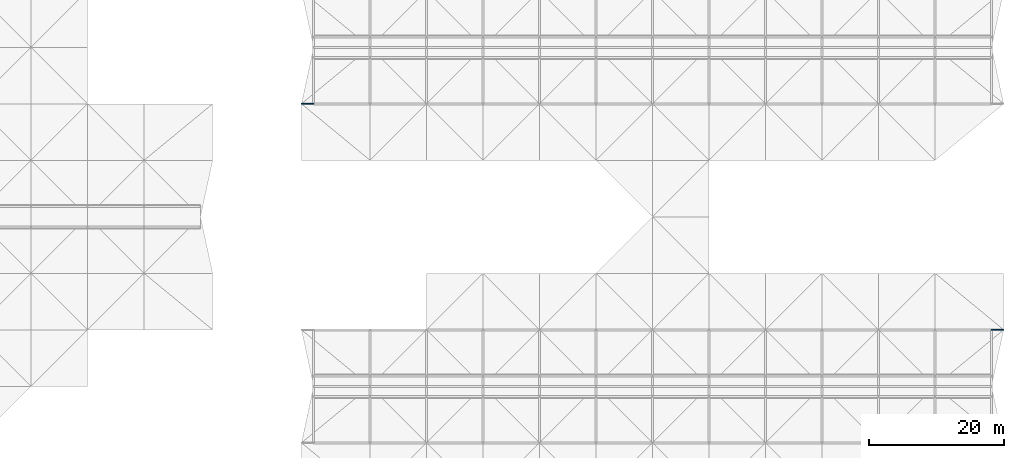
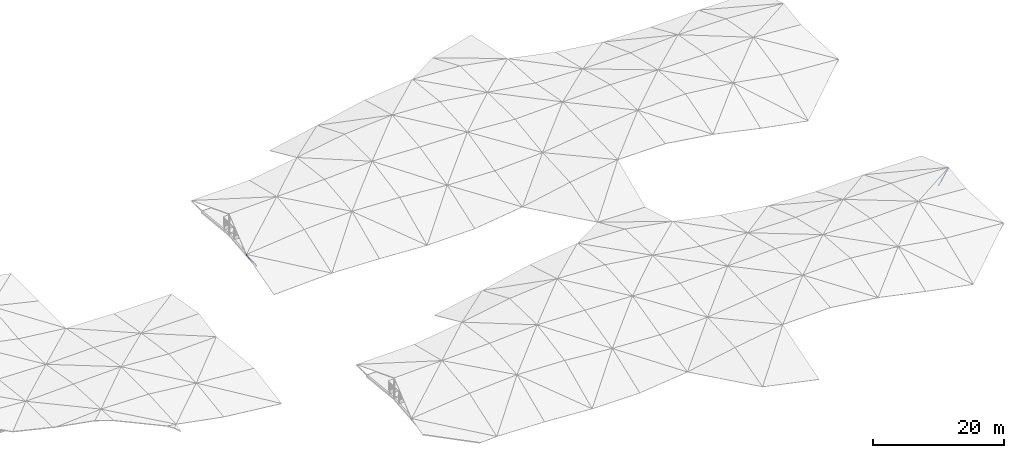
# One storey, part 23 of 46: 2 discrete accessories.
"""IFC4 building model written with IfcOpenShell, lengths in metres."""

from ifc_helpers import new_model, si_unit, direction, frame, origin, origin_2d, place, context, subcontext, project, spatial, hollow_circle, extrude, material, material_profile, profile_set, type_object, element, save


model = new_model("IFC4")

# Units and contexts
model_context = context("Model", 3, precision=1e-05, world=origin(), true_north=direction((0.0, 1.0)))
body_context = subcontext(model_context, "Body", "Model", "MODEL_VIEW")
ifc_project = project(units=[si_unit("LENGTHUNIT", "METRE"), si_unit("AREAUNIT", "SQUARE_METRE"), si_unit("VOLUMEUNIT", "CUBIC_METRE"), si_unit("PLANEANGLEUNIT", "RADIAN"), si_unit("MASSUNIT", "GRAM", prefix="KILO")], contexts=[model_context])

# Site, building, storey
site_placement = place(None, origin())
site = spatial("IfcSite", under=ifc_project, at=site_placement, CompositionType="ELEMENT")
building_placement = place(site_placement, origin())
building = spatial("IfcBuilding", under=site, at=building_placement, Name="Rain Tree Exposition and Congress Centre", CompositionType="ELEMENT")
storey_placement = place(building_placement, frame((0.0, 0.0, 27.0)))
storey = spatial("IfcBuildingStorey", under=building, at=storey_placement, Name="ROOF VAULT CREST", CompositionType="ELEMENT", Elevation=27.0)

# Discrete accessories
ifc_material = material(Name="Steel S355J2H", Category="steel")
ifc_material_profile = material_profile(ifc_material, hollow_circle(Radius=0.05712890625, WallThickness=0.00439453125, at=origin_2d()), Name="CHS 114x4.5")
ifc_profile_set = profile_set([ifc_material_profile], Name="Steel S355J2H")
discrete_accessory_type = type_object("IfcDiscreteAccessoryType", Name="Roof skin post CHS 114x4.5", PredefinedType="BRACKET", material=ifc_profile_set)
discrete_accessory_1_placement = place(storey_placement, frame((243.60009765625, 134.39990234375, 0.551025390625), z_axis=(0.552208523248, 0.0, 0.833706031436), x_axis=(0.0, 1.0, 0.0)))
element("IfcDiscreteAccessory", 1, at=discrete_accessory_1_placement, inside=storey, type_object=discrete_accessory_type, Name="Roof skin post B65", PredefinedType="BRACKET", context=body_context, shape_type="SweptSolid", body=[
    extrude(hollow_circle(Radius=0.05712890625, WallThickness=0.00439453125, at=origin_2d()), origin(), (0.0, 0.0, 1.0), 3.25927734375),
])
discrete_accessory_2_placement = place(storey_placement, frame((142.800048828125, 168.0, 0.551025390625), z_axis=(-0.559295657351, 0.0, 0.828968254922), x_axis=(0.0, -1.0, 0.0)))
element("IfcDiscreteAccessory", 2, at=discrete_accessory_2_placement, inside=storey, type_object=discrete_accessory_type, Name="Roof skin post B105", PredefinedType="BRACKET", context=body_context, shape_type="SweptSolid", body=[
    extrude(hollow_circle(Radius=0.05712890625, WallThickness=0.00439453125, at=origin_2d()), origin(), (0.0, 0.0, 1.0), 3.218505859375),
])

save(model, "model.ifc")
